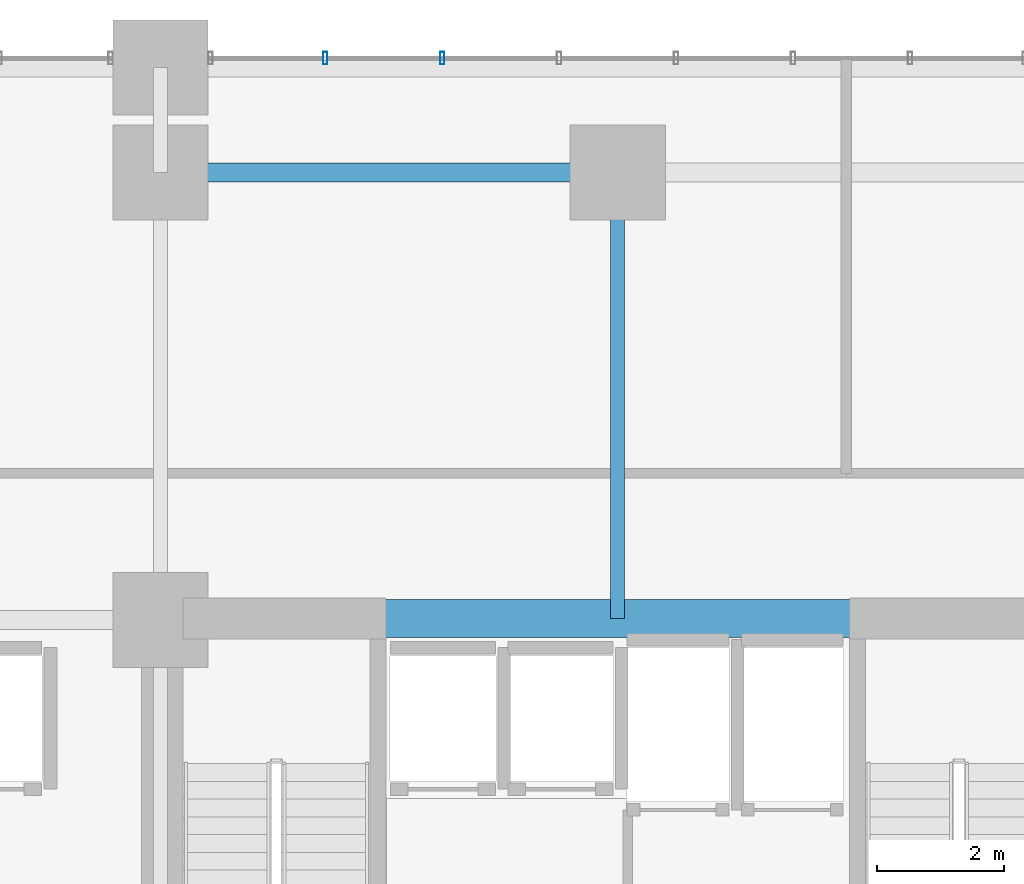
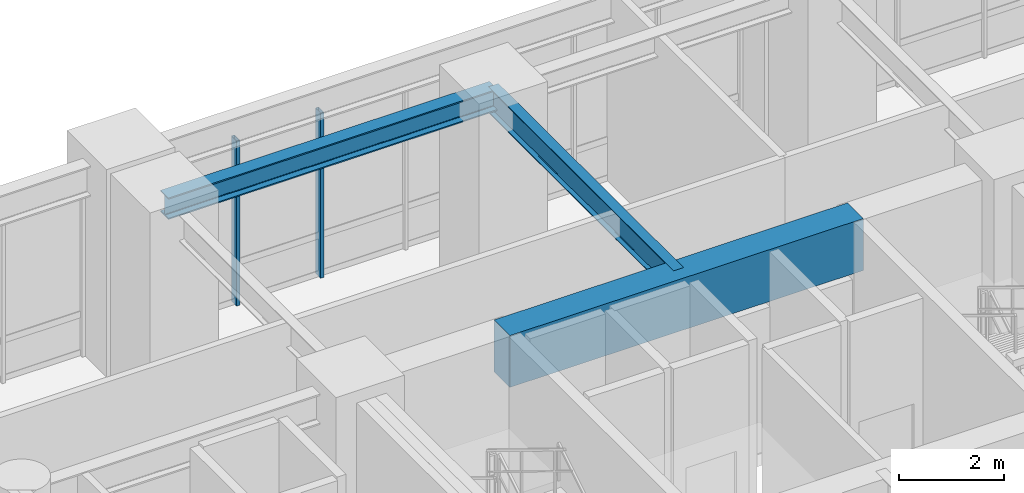
# One storey, part 4 of 22: 3 beams, 2 members, 1 element without a shape of its own.
"""IFC4 building model written with IfcOpenShell, lengths in metres."""

import ifcopenshell
import ifcopenshell.guid

model = None  # the IFC model being written
_history = None  # IfcOwnerHistory: only IFC2X3 demands one
_inside = {}  # id of a spatial element -> (the spatial element, [elements in it])
_under = {}  # id of a project, library or spatial element -> (it, [spatial elements below it])
_declared = {}  # id of a project -> (the project, [libraries it declares])
_typed = {}  # id of a type object -> (the type object, [elements of that type])
_made_of = {}  # id of a material, layer set ... -> (it, [elements and type objects made of it])


def new_model(schema):
    """Start an empty IFC model of exactly this schema.

    Asked for "IFC4X3", IfcOpenShell would pick the latest addendum, in which some entities
    have other attributes; the version numbers below select the first issue.
    IFC2X3 requires an IfcOwnerHistory on every rooted entity: one is made here for all.
    """
    global model, _history
    if schema == "IFC4X3":
        model = ifcopenshell.file(schema_version=(4, 3, 0, 0))
    else:
        model = ifcopenshell.file(schema=schema)
    _inside.clear()
    _under.clear()
    _declared.clear()
    _typed.clear()
    _made_of.clear()
    _history = None
    if model.schema == "IFC2X3":
        org = make("IfcOrganization", Name="unknown")
        user = make(
            "IfcPersonAndOrganization",
            ThePerson=make("IfcPerson", FamilyName="unknown"),
            TheOrganization=org,
        )
        app = make(
            "IfcApplication",
            ApplicationDeveloper=org,
            Version="unknown",
            ApplicationFullName="unknown",
            ApplicationIdentifier="unknown",
        )
        _history = make(
            "IfcOwnerHistory",
            OwningUser=user,
            OwningApplication=app,
            ChangeAction="ADDED",
            CreationDate=0,
        )
    return model


def make(cls, **values):
    """One entity of the class cls with the attributes given. An attribute that is None is left unset."""
    return model.create_entity(
        cls, **{name: value for name, value in values.items() if value is not None}
    )


def rooted(cls, **values):
    """An entity with a GlobalId (a new one), such as an element, a storey or a relation."""
    return make(cls, GlobalId=ifcopenshell.guid.new(), OwnerHistory=_history, **values)


def si_unit(unit_type, name, prefix=None):
    """IfcSIUnit, for example si_unit("LENGTHUNIT", "METRE", prefix="MILLI")."""
    return make("IfcSIUnit", UnitType=unit_type, Prefix=prefix, Name=name)


def assignment(units):
    """IfcUnitAssignment: the units of a project."""
    return None if units is None else make("IfcUnitAssignment", Units=units)


def point(xyz):
    """IfcCartesianPoint."""
    return None if xyz is None else make("IfcCartesianPoint", Coordinates=xyz)


def direction(xyz):
    """IfcDirection."""
    return None if xyz is None else make("IfcDirection", DirectionRatios=xyz)


def frame(location, z_axis=None, x_axis=None):
    """IfcAxis2Placement3D, a coordinate frame: its origin and axes. An axis left out is left unset."""
    return make(
        "IfcAxis2Placement3D",
        Location=point(location),
        Axis=direction(z_axis),
        RefDirection=direction(x_axis),
    )


def frame_2d(location, x_axis=None):
    """IfcAxis2Placement2D, a coordinate frame in the plane: its origin and x axis."""
    return make(
        "IfcAxis2Placement2D", Location=point(location), RefDirection=direction(x_axis)
    )


def origin():
    """The frame at (0, 0, 0) with its axes left unset."""
    return frame((0.0, 0.0, 0.0))


def origin_2d():
    """The frame at (0, 0) in the plane with its x axis left unset."""
    return frame_2d((0.0, 0.0))


def place(relative_to, where):
    """IfcLocalPlacement: puts the frame where relative to a parent placement (None: the world)."""
    return make(
        "IfcLocalPlacement", PlacementRelTo=relative_to, RelativePlacement=where
    )


def context(
    kind, dimensions, precision=None, world=None, true_north=None, identifier=None
):
    """IfcGeometricRepresentationContext, for example the 3D "Model" context."""
    return make(
        "IfcGeometricRepresentationContext",
        ContextIdentifier=identifier,
        ContextType=kind,
        CoordinateSpaceDimension=dimensions,
        Precision=precision,
        WorldCoordinateSystem=world,
        TrueNorth=true_north,
    )


def subcontext(parent, identifier, kind, view, scale=None):
    """IfcGeometricRepresentationSubContext, for example "Body" below "Model"."""
    return make(
        "IfcGeometricRepresentationSubContext",
        ContextIdentifier=identifier,
        ContextType=kind,
        ParentContext=parent,
        TargetScale=scale,
        TargetView=view,
    )


def project(units=None, contexts=None):
    """IfcProject with its units and contexts."""
    return rooted(
        "IfcProject",
        Name="project",
        RepresentationContexts=contexts,
        UnitsInContext=assignment(units),
    )


def spatial(cls, under=None, at=None, **own):
    """A site, building, storey or space (cls), placed at a placement, below another one or the project."""
    s = rooted(cls, ObjectPlacement=at, **own)
    if under is not None:
        _under.setdefault(under.id(), (under, []))[1].append(s)
    return s


def profile(cls, at=None, kind="AREA", **sizes):
    """A parametric profile (cls). Its sizes go by their IFC names, for example OverallWidth=200.0."""
    return make(cls, ProfileType=kind, Position=at, **sizes)


def rectangle(**sizes):
    """IfcRectangleProfileDef."""
    return profile("IfcRectangleProfileDef", **sizes)


def hollow_rectangle(**sizes):
    """IfcRectangleHollowProfileDef."""
    return profile("IfcRectangleHollowProfileDef", **sizes)


def i_section(**sizes):
    """IfcIShapeProfileDef."""
    return profile("IfcIShapeProfileDef", **sizes)


def extrude(swept, where, along, depth):
    """IfcExtrudedAreaSolid: the profile swept, set in the frame where, extruded along a direction by depth."""
    return make(
        "IfcExtrudedAreaSolid",
        SweptArea=swept,
        Position=where,
        ExtrudedDirection=direction(along),
        Depth=depth,
    )


def shape(context_of_items, identifier, shape_type, items):
    """IfcShapeRepresentation: the items that make up one representation, for example the "Body"."""
    return make(
        "IfcShapeRepresentation",
        ContextOfItems=context_of_items,
        RepresentationIdentifier=identifier,
        RepresentationType=shape_type,
        Items=items,
    )


def source(mapping_origin, context_of_items, identifier, shape_type, items):
    """IfcRepresentationMap: a shape defined once, which mapped items show again and again."""
    return make(
        "IfcRepresentationMap",
        MappingOrigin=mapping_origin,
        MappedRepresentation=shape(context_of_items, identifier, shape_type, items),
    )


def transform(
    local_origin,
    x_axis=None,
    y_axis=None,
    z_axis=None,
    scale=None,
    scale2=None,
    scale3=None,
    uniform=True,
):
    """IfcCartesianTransformationOperator3D, or its non-uniform kind. x_axis, y_axis, z_axis: its Axis1, 2, 3."""
    if uniform:
        return make(
            "IfcCartesianTransformationOperator3D",
            Axis1=direction(x_axis),
            Axis2=direction(y_axis),
            LocalOrigin=point(local_origin),
            Scale=scale,
            Axis3=direction(z_axis),
        )
    return make(
        "IfcCartesianTransformationOperator3DnonUniform",
        Axis1=direction(x_axis),
        Axis2=direction(y_axis),
        LocalOrigin=point(local_origin),
        Scale=scale,
        Axis3=direction(z_axis),
        Scale2=scale2,
        Scale3=scale3,
    )


def mapped(mapping_source, mapping_target):
    """IfcMappedItem: shows the shape of a source again, moved by a transform."""
    return make(
        "IfcMappedItem", MappingSource=mapping_source, MappingTarget=mapping_target
    )


def material(Name=None, Category=None):
    """IfcMaterial."""
    return make("IfcMaterial", Name=Name, Category=Category)


def layer(
    of_material, thickness, ventilated=None, Name=None, Category=None, Priority=None
):
    """IfcMaterialLayer: one layer of a wall or slab, of a material (None: an air gap)."""
    return make(
        "IfcMaterialLayer",
        Material=of_material,
        LayerThickness=thickness,
        IsVentilated=ventilated,
        Name=Name,
        Category=Category,
        Priority=Priority,
    )


def layer_set(layers, Name=None):
    """IfcMaterialLayerSet."""
    return make("IfcMaterialLayerSet", MaterialLayers=layers, LayerSetName=Name)


def material_profile(
    of_material, cross_section, Name=None, Category=None, Priority=None
):
    """IfcMaterialProfile: a cross section and its material."""
    return make(
        "IfcMaterialProfile",
        Name=Name,
        Material=of_material,
        Profile=cross_section,
        Priority=Priority,
        Category=Category,
    )


def profile_set(profiles, Name=None, composite=None):
    """IfcMaterialProfileSet."""
    return make(
        "IfcMaterialProfileSet",
        Name=Name,
        MaterialProfiles=profiles,
        CompositeProfile=composite,
    )


def made_of(thing, what):
    """Note that an element or type object is made of a material, layer set ...; save() writes the relation."""
    if what is not None:
        _made_of.setdefault(what.id(), (what, []))[1].append(thing)
    return thing


def type_object(cls, material=None, **own):
    """A type object (cls), such as IfcWallType, which elements share."""
    return made_of(rooted(cls, **own), material)


def element(
    cls,
    number,
    at=None,
    inside=None,
    cuts=None,
    type_object=None,
    material=None,
    context=None,
    identifier="Body",
    shape_type=None,
    held_by="IfcProductDefinitionShape",
    body=None,
    shapes=None,
    **own,
):
    """One element of the class cls, such as IfcWall. Its Tag is "e" and its number.

    at: its placement. inside: the storey or other place that contains it. cuts: it is an
    opening in that element (IfcRelVoidsElement). A single representation is given by context,
    identifier, shape_type and body (its items); several are given by shapes. held_by: the class
    of the entity that holds the representations. save() writes the other relations.
    """
    e = rooted(cls, Tag="e%d" % number, ObjectPlacement=at, **own)
    if body is not None:
        shapes = [shape(context, identifier, shape_type, body)]
    if shapes is not None:
        e.Representation = make(held_by, Representations=shapes)
    if inside is not None:
        _inside.setdefault(inside.id(), (inside, []))[1].append(e)
    if cuts is not None:
        rooted(
            "IfcRelVoidsElement", RelatingBuildingElement=cuts, RelatedOpeningElement=e
        )
    if type_object is not None:
        _typed.setdefault(type_object.id(), (type_object, []))[1].append(e)
    return made_of(e, material)


def aggregate(whole, parts):
    """IfcRelAggregates: a whole, such as a stair, and the parts it consists of."""
    return rooted("IfcRelAggregates", RelatingObject=whole, RelatedObjects=parts)


def save(model, path):
    """Write the relations noted so far, then the file.

    IfcRelAggregates (storeys below a building ...), IfcRelContainedInSpatialStructure (elements
    in a storey), IfcRelDefinesByType, IfcRelAssociatesMaterial and IfcRelDeclares: one each for
    every whole, place, type object, material and project.
    """
    for whole, parts in _under.values():
        aggregate(whole, parts)
    for where, things in _inside.values():
        rooted(
            "IfcRelContainedInSpatialStructure",
            RelatedElements=things,
            RelatingStructure=where,
        )
    for kind, things in _typed.values():
        rooted("IfcRelDefinesByType", RelatedObjects=things, RelatingType=kind)
    for what, things in _made_of.values():
        rooted("IfcRelAssociatesMaterial", RelatedObjects=things, RelatingMaterial=what)
    for by, libraries in _declared.values():
        rooted("IfcRelDeclares", RelatingContext=by, RelatedDefinitions=libraries)
    model.write(path)


model = new_model("IFC4")

# Units and contexts
model_context = context("Model", 3, precision=1e-05, world=origin(), true_north=direction((0.0, 1.0)))
body_context = subcontext(model_context, "Body", "Model", "MODEL_VIEW")
ifc_project = project(units=[si_unit("LENGTHUNIT", "METRE"), si_unit("AREAUNIT", "SQUARE_METRE"), si_unit("VOLUMEUNIT", "CUBIC_METRE"), si_unit("PLANEANGLEUNIT", "RADIAN"), si_unit("MASSUNIT", "GRAM", prefix="KILO")], contexts=[model_context])

# Site, building, storey
site_placement = place(None, origin())
site = spatial("IfcSite", under=ifc_project, at=site_placement, CompositionType="ELEMENT")
building_placement = place(site_placement, origin())
building = spatial("IfcBuilding", under=site, at=building_placement, Name="Kaliganga Portal Commons", CompositionType="ELEMENT")
storey_placement = place(building_placement, frame((0.0, 0.0, 5.39990234375)))
storey = spatial("IfcBuildingStorey", under=building, at=storey_placement, Name="L01", CompositionType="ELEMENT", Elevation=5.39990234375)

# Beams
ifc_material_1 = material(Name="Concrete C60/75", Category="concrete")
ifc_material_profile_1 = material_profile(ifc_material_1, rectangle(XDim=0.60009765625, YDim=1.199951171875, at=origin_2d()), Name="RC 600x1200")
ifc_profile_set_1 = profile_set([ifc_material_profile_1], Name="Concrete C60/75")
beam_type_1 = type_object("IfcBeamType", Name="BM-CPL-1200", PredefinedType="LINTEL", material=ifc_profile_set_1)
shared_shape_1 = source(origin(), body_context, "Body", "SweptSolid", [
    extrude(rectangle(XDim=0.60009765625, YDim=1.199951171875, at=origin_2d()), origin(), (0.0, 0.0, 1.0), 7.739990234375),
])
beam_1_placement = place(storey_placement, frame((17.72998046875, 36.175048828125, 3.920166015625), z_axis=(1.0, 0.0, 0.0), x_axis=(0.0, 1.0, 0.0)))
element("IfcBeam", 1, at=beam_1_placement, inside=storey, type_object=beam_type_1, Name="BM CPL COREA L01 N", PredefinedType="LINTEL", context=body_context, shape_type="MappedRepresentation", body=[
    mapped(shared_shape_1, transform((0.0, 0.0, 0.0), x_axis=(1.0, 0.0, 0.0), y_axis=(0.0, 1.0, 0.0), z_axis=(0.0, 0.0, 1.0), scale=1.0)),
])
ifc_material_2 = material(Name="Structural steel S355J2", Category="steel")
ifc_material_profile_2 = material_profile(ifc_material_2, i_section(OverallWidth=0.219970703125, OverallDepth=0.60009765625, WebThickness=0.011962890625, FlangeThickness=0.01904296875, FilletRadius=0.02392578125, at=origin_2d()), Name="IPE 600")
ifc_profile_set_2 = profile_set([ifc_material_profile_2], Name="Structural steel S355J2 wide-flange")
beam_type_2 = type_object("IfcBeamType", Name="BM-FLR-600", PredefinedType="BEAM", material=ifc_profile_set_2)
shared_shape_2 = source(origin(), body_context, "Body", "SweptSolid", [
    extrude(i_section(OverallWidth=0.219970703125, OverallDepth=0.60009765625, WebThickness=0.011962890625, FlangeThickness=0.01904296875, FilletRadius=0.02392578125, at=origin_2d()), origin(), (0.0, 0.0, 1.0), 7.02490234375),
])
beam_2_placement = place(storey_placement, frame((21.60009765625, 36.175048828125, 4.22021484375), z_axis=(0.0, 1.0, 0.0), x_axis=(-1.0, 0.0, 0.0)))
element("IfcBeam", 2, at=beam_2_placement, inside=storey, type_object=beam_type_2, Name="BM G L01 AN216", PredefinedType="BEAM", context=body_context, shape_type="MappedRepresentation", body=[
    mapped(shared_shape_2, transform((0.0, 0.0, 0.0), x_axis=(1.0, 0.0, 0.0), y_axis=(0.0, 1.0, 0.0), z_axis=(0.0, 0.0, 1.0), scale=1.0)),
])
ifc_material_profile_3 = material_profile(ifc_material_2, i_section(OverallWidth=0.300048828125, OverallDepth=0.5, WebThickness=0.014404296875, FlangeThickness=0.028076171875, FilletRadius=0.027099609375, at=origin_2d()), Name="HE 500 B")
ifc_profile_set_3 = profile_set([ifc_material_profile_3], Name="Structural steel S355J2 wide-flange")
beam_type_3 = type_object("IfcBeamType", Name="BM-SPAND-500", PredefinedType="SPANDREL", material=ifc_profile_set_3)
shared_shape_3 = source(origin(), body_context, "Body", "SweptSolid", [
    extrude(i_section(OverallWidth=0.300048828125, OverallDepth=0.5, WebThickness=0.014404296875, FlangeThickness=0.028076171875, FilletRadius=0.027099609375, at=origin_2d()), origin(), (0.0, 0.0, 1.0), 7.2001953125),
])
beam_3_placement = place(storey_placement, frame((14.39990234375, 43.199951171875, 4.27001953125), z_axis=(1.0, 0.0, 0.0), x_axis=(0.0, 1.0, 0.0)))
element("IfcBeam", 3, at=beam_3_placement, inside=storey, type_object=beam_type_3, Name="BM SP L01 AN 1", PredefinedType="SPANDREL", context=body_context, shape_type="MappedRepresentation", body=[
    mapped(shared_shape_3, transform((0.0, 0.0, 0.0), x_axis=(1.0, 0.0, 0.0), y_axis=(0.0, 1.0, 0.0), z_axis=(0.0, 0.0, 1.0), scale=1.0)),
])

# Curtain wall, members
ifc_material_3 = material(Name="Anodized Aluminium and Laminated Low-E Glass", Category="aluminium")
ifc_layer = layer(ifc_material_3, 0.219970703125)
ifc_layer_set = layer_set([ifc_layer], Name="Anodized Aluminium and Laminated Low-E Glass")
curtain_wall_type = type_object("IfcCurtainWallType", Name="CW-SYS-01", PredefinedType="NOTDEFINED", material=ifc_layer_set)
curtain_wall_placement = place(storey_placement, origin())
curtain_wall = element("IfcCurtainWall", 4, at=curtain_wall_placement, inside=storey, type_object=curtain_wall_type, Name="CW 01 L01 P1E02S6", PredefinedType="NOTDEFINED")
ifc_material_4 = material(Name="Dark Bronze Anodized Aluminium", Category="aluminium")
ifc_material_profile_4 = material_profile(ifc_material_4, hollow_rectangle(XDim=0.070068359375, YDim=0.199951171875, WallThickness=0.00390625, at=origin_2d()), Name="ALU MULL 70x200x4")
ifc_profile_set_4 = profile_set([ifc_material_profile_4], Name="Dark Bronze Anodized Aluminium")
member_type = type_object("IfcMemberType", Name="CW-MUL-220", PredefinedType="MULLION", material=ifc_profile_set_4)
shared_shape_4 = source(origin(), body_context, "Body", "SweptSolid", [
    extrude(hollow_rectangle(XDim=0.070068359375, YDim=0.199951171875, WallThickness=0.00390625, at=origin_2d()), origin(), (0.0, 0.0, 1.0), 3.820068359375),
])
member_1_placement = place(storey_placement, frame((18.836181640625, 45.0, 0.0), z_axis=(0.0, 0.0, 1.0), x_axis=(-1.0, 0.0, 0.0)))
member_1 = element("IfcMember", 5, at=member_1_placement, type_object=member_type, Name="CW:01:L01:P1E02S6 Mullion 05", PredefinedType="MULLION", context=body_context, shape_type="MappedRepresentation", body=[
    mapped(shared_shape_4, transform((0.0, 0.0, 0.0), x_axis=(1.0, 0.0, 0.0), y_axis=(0.0, 1.0, 0.0), z_axis=(0.0, 0.0, 1.0), scale=1.0)),
])
member_2_placement = place(storey_placement, frame((16.99365234375, 45.0, 0.0), z_axis=(0.0, 0.0, 1.0), x_axis=(-1.0, 0.0, 0.0)))
member_2 = element("IfcMember", 6, at=member_2_placement, type_object=member_type, Name="CW:01:L01:P1E02S6 Mullion 06", PredefinedType="MULLION", context=body_context, shape_type="MappedRepresentation", body=[
    mapped(shared_shape_4, transform((0.0, 0.0, 0.0), x_axis=(1.0, 0.0, 0.0), y_axis=(0.0, 1.0, 0.0), z_axis=(0.0, 0.0, 1.0), scale=1.0)),
])
aggregate(curtain_wall, [member_1, member_2])

save(model, "model.ifc")
